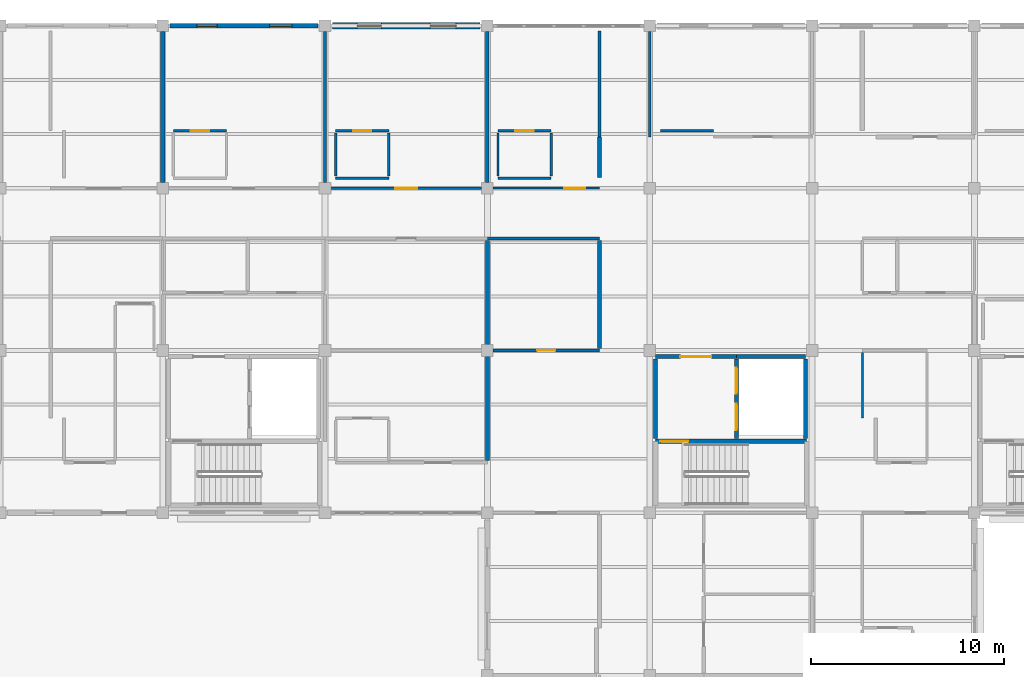
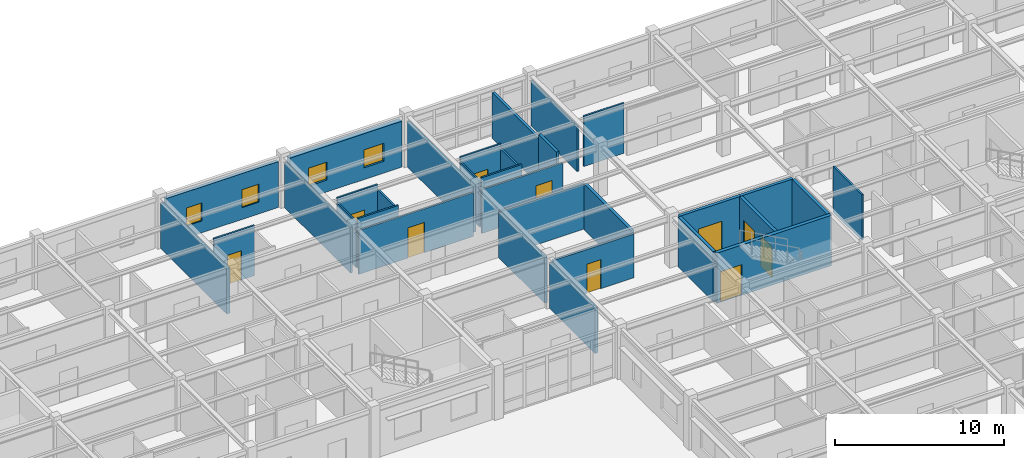
# One storey, part 62 of 86: 32 walls, 10 doors, 4 windows, 14 openings.
"""IFC4 building model written with IfcOpenShell, lengths in metres."""

from ifc_helpers import new_model, si_unit, direction, frame, frame_2d, origin, place, context, subcontext, project, spatial, rectangle, extrude, material, layer, layer_set, type_object, element, fill, save


model = new_model("IFC4")

# Units and contexts
model_context = context("Model", 3, precision=1e-05, world=origin(), true_north=direction((0.0, 1.0)))
body_context = subcontext(model_context, "Body", "Model", "MODEL_VIEW")
ifc_project = project(units=[si_unit("LENGTHUNIT", "METRE"), si_unit("AREAUNIT", "SQUARE_METRE"), si_unit("VOLUMEUNIT", "CUBIC_METRE"), si_unit("PLANEANGLEUNIT", "RADIAN"), si_unit("MASSUNIT", "GRAM", prefix="KILO")], contexts=[model_context])

# Site, building, storey
site_placement = place(None, origin())
site = spatial("IfcSite", under=ifc_project, at=site_placement, CompositionType="ELEMENT")
building_placement = place(site_placement, origin())
building = spatial("IfcBuilding", under=site, at=building_placement, Name="Bramfleet General Hospital", CompositionType="ELEMENT")
storey_placement = place(building_placement, frame((0.0, 0.0, 18.60009765625)))
storey = spatial("IfcBuildingStorey", under=building, at=storey_placement, Name="L04", CompositionType="ELEMENT", Elevation=18.60009765625)

# Wall, openings, windows
ifc_material_1 = material(Name="Precast concrete C40/50", Category="concrete")
ifc_layer_1 = layer(ifc_material_1, 0.3349609375, Name="WT-EW-03")
ifc_layer_set_1 = layer_set([ifc_layer_1], Name="Precast concrete C40/50")
wall_type_1 = type_object("IfcWallType", Name="WT-EW-03", PredefinedType="SOLIDWALL", material=ifc_layer_set_1)
wall_1_placement = place(storey_placement, frame((84.375, 117.60009765625, 0.0), z_axis=(0.0, 0.0, 1.0), x_axis=(1.0, 0.0, 0.0)))
wall_1 = element("IfcWall", 1, at=wall_1_placement, inside=storey, type_object=wall_type_1, Name="L04 Exterior Wall 288", PredefinedType="SOLIDWALL", context=body_context, shape_type="SweptSolid", body=[
    extrude(rectangle(XDim=7.64990234375, YDim=0.3349609375, at=frame_2d((3.824951171875, 0.0))), origin(), (0.0, 0.0, 1.0), 3.309814453125),
])
opening_1_placement = place(wall_1_placement, frame((1.28759765625, 0.0, 0.85009765625)))
opening_1 = element("IfcOpeningElement", 2, at=opening_1_placement, cuts=wall_1, Name="Opening W-04", PredefinedType="OPENING", context=body_context, shape_type="SweptSolid", body=[
    extrude(rectangle(XDim=1.25, YDim=1.300048828125, at=frame_2d((0.625, 0.64990234375))), frame((0.0, 0.177490234375, 0.0), z_axis=(0.0, -1.0, 0.0), x_axis=(1.0, 0.0, 0.0)), (0.0, 0.0, 1.0), 0.35498046875),
])
opening_2_placement = place(wall_1_placement, frame((5.0625, 0.0, 0.85009765625)))
opening_2 = element("IfcOpeningElement", 3, at=opening_2_placement, cuts=wall_1, Name="Opening W-05", PredefinedType="OPENING", context=body_context, shape_type="SweptSolid", body=[
    extrude(rectangle(XDim=1.35009765625, YDim=1.300048828125, at=frame_2d((0.675048828125, 0.64990234375))), frame((0.0, 0.177490234375, 0.0), z_axis=(0.0, -1.0, 0.0), x_axis=(1.0, 0.0, 0.0)), (0.0, 0.0, 1.0), 0.35498046875),
])
ifc_material_2 = material(Name="Anodised aluminium and low-E triple glazing", Category="aluminium")
window_type_1 = type_object("IfcWindowType", Name="WIN-W-04", PartitioningType="SINGLE_PANEL", PredefinedType="WINDOW", material=ifc_material_2)
window_1_placement = place(opening_1_placement, origin())
window_1 = element("IfcWindow", 4, at=window_1_placement, inside=storey, type_object=window_type_1, Name="L04 Facade Window WIN-L04-288-1", OverallHeight=1.300048828125, OverallWidth=1.25, PartitioningType="SINGLE_PANEL", PredefinedType="WINDOW", context=body_context, shape_type="SweptSolid", body=[
    extrude(rectangle(XDim=1.25, YDim=1.300048828125, at=frame_2d((0.625, 0.64990234375))), frame((0.0, 0.030029296875, 0.0), z_axis=(0.0, -1.0, 0.0), x_axis=(1.0, 0.0, 0.0)), (0.0, 0.0, 1.0), 0.06005859375),
])
fill(opening_1, window_1)
window_type_2 = type_object("IfcWindowType", Name="WIN-W-05", PartitioningType="SINGLE_PANEL", PredefinedType="WINDOW", material=ifc_material_2)
window_2_placement = place(opening_2_placement, origin())
window_2 = element("IfcWindow", 5, at=window_2_placement, inside=storey, type_object=window_type_2, Name="L04 Facade Window WIN-L04-288-2", OverallHeight=1.300048828125, OverallWidth=1.35009765625, PartitioningType="SINGLE_PANEL", PredefinedType="WINDOW", context=body_context, shape_type="SweptSolid", body=[
    extrude(rectangle(XDim=1.35009765625, YDim=1.300048828125, at=frame_2d((0.675048828125, 0.64990234375))), frame((0.0, 0.030029296875, 0.0), z_axis=(0.0, -1.0, 0.0), x_axis=(1.0, 0.0, 0.0)), (0.0, 0.0, 1.0), 0.06005859375),
])
fill(opening_2, window_2)

ifc_layer_2 = layer(ifc_material_1, 0.235107421875, Name="WT-EW-09")
ifc_layer_set_2 = layer_set([ifc_layer_2], Name="Precast concrete C40/50")
wall_type_2 = type_object("IfcWallType", Name="WT-EW-09", PredefinedType="SOLIDWALL", material=ifc_layer_set_2)
wall_2_placement = place(storey_placement, frame((75.97509765625, 117.60009765625, 0.0), z_axis=(0.0, 0.0, 1.0), x_axis=(1.0, 0.0, 0.0)))
wall_2 = element("IfcWall", 6, at=wall_2_placement, inside=storey, type_object=wall_type_2, Name="L04 Exterior Wall 287", PredefinedType="SOLIDWALL", context=body_context, shape_type="SweptSolid", body=[
    extrude(rectangle(XDim=7.64990234375, YDim=0.235107421875, at=frame_2d((3.824951171875, 0.0))), origin(), (0.0, 0.0, 1.0), 3.309814453125),
])
opening_3_placement = place(wall_2_placement, frame((1.387451171875, 0.0, 0.85009765625)))
opening_3 = element("IfcOpeningElement", 7, at=opening_3_placement, cuts=wall_2, Name="Opening W-02", PredefinedType="OPENING", context=body_context, shape_type="SweptSolid", body=[
    extrude(rectangle(XDim=1.050048828125, YDim=1.300048828125, at=frame_2d((0.52490234375, 0.64990234375))), frame((0.0, 0.12744140625, 0.0), z_axis=(0.0, -1.0, 0.0), x_axis=(1.0, 0.0, 0.0)), (0.0, 0.0, 1.0), 0.255126953125),
])
opening_4_placement = place(wall_2_placement, frame((5.16259765625, 0.0, 0.85009765625)))
opening_4 = element("IfcOpeningElement", 8, at=opening_4_placement, cuts=wall_2, Name="Opening W-03", PredefinedType="OPENING", context=body_context, shape_type="SweptSolid", body=[
    extrude(rectangle(XDim=1.14990234375, YDim=1.300048828125, at=frame_2d((0.574951171875, 0.64990234375))), frame((0.0, 0.12744140625, 0.0), z_axis=(0.0, -1.0, 0.0), x_axis=(1.0, 0.0, 0.0)), (0.0, 0.0, 1.0), 0.255126953125),
])
window_type_3 = type_object("IfcWindowType", Name="WIN-W-02", PartitioningType="SINGLE_PANEL", PredefinedType="WINDOW", material=ifc_material_2)
window_3_placement = place(opening_3_placement, origin())
window_3 = element("IfcWindow", 9, at=window_3_placement, inside=storey, type_object=window_type_3, Name="L04 Facade Window WIN-L04-287-1", OverallHeight=1.300048828125, OverallWidth=1.050048828125, PartitioningType="SINGLE_PANEL", PredefinedType="WINDOW", context=body_context, shape_type="SweptSolid", body=[
    extrude(rectangle(XDim=1.050048828125, YDim=1.300048828125, at=frame_2d((0.52490234375, 0.64990234375))), frame((0.0, 0.030029296875, 0.0), z_axis=(0.0, -1.0, 0.0), x_axis=(1.0, 0.0, 0.0)), (0.0, 0.0, 1.0), 0.06005859375),
])
fill(opening_3, window_3)
window_type_4 = type_object("IfcWindowType", Name="WIN-W-03", PartitioningType="SINGLE_PANEL", PredefinedType="WINDOW", material=ifc_material_2)
window_4_placement = place(opening_4_placement, origin())
window_4 = element("IfcWindow", 10, at=window_4_placement, inside=storey, type_object=window_type_4, Name="L04 Facade Window WIN-L04-287-2", OverallHeight=1.300048828125, OverallWidth=1.14990234375, PartitioningType="SINGLE_PANEL", PredefinedType="WINDOW", context=body_context, shape_type="SweptSolid", body=[
    extrude(rectangle(XDim=1.14990234375, YDim=1.300048828125, at=frame_2d((0.574951171875, 0.64990234375))), frame((0.0, 0.030029296875, 0.0), z_axis=(0.0, -1.0, 0.0), x_axis=(1.0, 0.0, 0.0)), (0.0, 0.0, 1.0), 0.06005859375),
])
fill(opening_4, window_4)

# Walls
ifc_material_3 = material(Name="Concrete C35/45", Category="concrete")
ifc_layer_3 = layer(ifc_material_3, 0.219970703125, Name="WT-IW-01")
ifc_layer_set_3 = layer_set([ifc_layer_3], Name="Concrete C35/45")
wall_type_3 = type_object("IfcWallType", Name="WT-IW-01", PredefinedType="PARTITIONING", material=ifc_layer_set_3)
wall_3_placement = place(storey_placement, frame((75.60009765625, 109.4951171875, 0.0), z_axis=(0.0, 0.0, 1.0), x_axis=(0.0, 1.0, 0.0)))
element("IfcWall", 11, at=wall_3_placement, inside=storey, type_object=wall_type_3, Name="L04 Interior Partition IW-L04-3313", PredefinedType="PARTITIONING", context=body_context, shape_type="SweptSolid", body=[
    extrude(rectangle(XDim=7.809814453125, YDim=0.219970703125, at=frame_2d((3.90478515625, 0.0))), origin(), (0.0, 0.0, 1.0), 3.260009765625),
])
wall_4_placement = place(storey_placement, frame((92.39990234375, 95.114990234375, 0.0), z_axis=(0.0, 0.0, 1.0), x_axis=(0.0, 1.0, 0.0)))
element("IfcWall", 12, at=wall_4_placement, inside=storey, type_object=wall_type_3, Name="L04 Interior Partition IW-L04-3325", PredefinedType="PARTITIONING", context=body_context, shape_type="SweptSolid", body=[
    extrude(rectangle(XDim=5.389892578125, YDim=0.219970703125, at=frame_2d((2.69482421875, 0.0))), origin(), (0.0, 0.0, 1.0), 3.260009765625),
])

# Wall, openings, doors
ifc_layer_4 = layer(ifc_material_3, 0.205078125, Name="WT-IW-02")
ifc_layer_set_4 = layer_set([ifc_layer_4], Name="Concrete C35/45")
wall_type_4 = type_object("IfcWallType", Name="WT-IW-02", PredefinedType="PARTITIONING", material=ifc_layer_set_4)
wall_5_placement = place(storey_placement, frame((105.280029296875, 96.239990234375, 0.0), z_axis=(0.0, 0.0, 1.0), x_axis=(0.0, 1.0, 0.0)))
wall_5 = element("IfcWall", 13, at=wall_5_placement, inside=storey, type_object=wall_type_4, Name="L04 C4 Lobby East Shaft Wall", PredefinedType="PARTITIONING", context=body_context, shape_type="SweptSolid", body=[
    extrude(rectangle(XDim=4.1201171875, YDim=0.205078125, at=frame_2d((2.06005859375, 0.0))), origin(), (0.0, 0.0, 1.0), 3.60986328125),
])
opening_5_placement = place(wall_5_placement, frame((0.445068359375, 0.0, 0.0)))
opening_5 = element("IfcOpeningElement", 14, at=opening_5_placement, cuts=wall_5, Name="Opening LD-FL-02-L04", PredefinedType="OPENING", context=body_context, shape_type="SweptSolid", body=[
    extrude(rectangle(XDim=1.35009765625, YDim=2.199951171875, at=frame_2d((0.675048828125, 1.10009765625))), frame((0.0, 0.112548828125, 0.0), z_axis=(0.0, -1.0, 0.0), x_axis=(1.0, 0.0, 0.0)), (0.0, 0.0, 1.0), 0.22509765625),
])
opening_6_placement = place(wall_5_placement, frame((2.324951171875, 0.0, 0.0)))
opening_6 = element("IfcOpeningElement", 15, at=opening_6_placement, cuts=wall_5, Name="Opening LD-BL-04-L04", PredefinedType="OPENING", context=body_context, shape_type="SweptSolid", body=[
    extrude(rectangle(XDim=1.35009765625, YDim=2.199951171875, at=frame_2d((0.675048828125, 1.10009765625))), frame((0.0, 0.112548828125, 0.0), z_axis=(0.0, -1.0, 0.0), x_axis=(1.0, 0.0, 0.0)), (0.0, 0.0, 1.0), 0.22509765625),
])
ifc_material_4 = material(Name="Brushed stainless steel 1.4301", Category="steel")
door_type_1 = type_object("IfcDoorType", Name="DR-LD-01", OperationType="NOTDEFINED", PredefinedType="DOOR", material=ifc_material_4)
door_1_placement = place(opening_5_placement, origin())
door_1 = element("IfcDoor", 16, at=door_1_placement, inside=storey, type_object=door_type_1, Name="L04 Lift FL-02 Sliding Landing Door", OperationType="SLIDING_TO_LEFT", OverallHeight=2.199951171875, OverallWidth=1.35009765625, PredefinedType="DOOR", context=body_context, shape_type="SweptSolid", body=[
    extrude(rectangle(XDim=1.35009765625, YDim=2.199951171875, at=frame_2d((0.675048828125, 1.10009765625))), frame((0.0, 0.02490234375, 0.0), z_axis=(0.0, -1.0, 0.0), x_axis=(1.0, 0.0, 0.0)), (0.0, 0.0, 1.0), 0.050048828125),
])
fill(opening_5, door_1)
door_2_placement = place(opening_6_placement, origin())
door_2 = element("IfcDoor", 17, at=door_2_placement, inside=storey, type_object=door_type_1, Name="L04 Lift BL-04 Sliding Landing Door", OperationType="SLIDING_TO_LEFT", OverallHeight=2.199951171875, OverallWidth=1.35009765625, PredefinedType="DOOR", context=body_context, shape_type="SweptSolid", body=[
    extrude(rectangle(XDim=1.35009765625, YDim=2.199951171875, at=frame_2d((0.675048828125, 1.10009765625))), frame((0.0, 0.02490234375, 0.0), z_axis=(0.0, -1.0, 0.0), x_axis=(1.0, 0.0, 0.0)), (0.0, 0.0, 1.0), 0.050048828125),
])
fill(opening_6, door_2)

# Walls
wall_6_placement = place(storey_placement, frame((108.85009765625, 96.239990234375, 0.0), z_axis=(0.0, 0.0, 1.0), x_axis=(0.0, 1.0, 0.0)))
element("IfcWall", 18, at=wall_6_placement, inside=storey, type_object=wall_type_4, Name="L04 C4 Lift Shaft East Wall", PredefinedType="PARTITIONING", context=body_context, shape_type="SweptSolid", body=[
    extrude(rectangle(XDim=4.1201171875, YDim=0.205078125, at=frame_2d((2.06005859375, 0.0))), origin(), (0.0, 0.0, 1.0), 3.60986328125),
])
wall_7_placement = place(storey_placement, frame((105.280029296875, 100.47998046875, 0.0), z_axis=(0.0, 0.0, 1.0), x_axis=(1.0, 0.0, 0.0)))
element("IfcWall", 19, at=wall_7_placement, inside=storey, type_object=wall_type_4, Name="L04 C4 Lift Shaft North Wall", PredefinedType="PARTITIONING", context=body_context, shape_type="SweptSolid", body=[
    extrude(rectangle(XDim=3.570068359375, YDim=0.205078125, at=frame_2d((1.78515625, 0.0))), origin(), (0.0, 0.0, 1.0), 3.60986328125),
])
wall_8_placement = place(storey_placement, frame((101.10009765625, 96.239990234375, 0.0), z_axis=(0.0, 0.0, 1.0), x_axis=(0.0, 1.0, 0.0)))
element("IfcWall", 20, at=wall_8_placement, inside=storey, type_object=wall_type_4, Name="L04 C4 Lobby West Compartment Wall", PredefinedType="PARTITIONING", context=body_context, shape_type="SweptSolid", body=[
    extrude(rectangle(XDim=4.1201171875, YDim=0.205078125, at=frame_2d((2.06005859375, 0.0))), origin(), (0.0, 0.0, 1.0), 3.60986328125),
])

# Wall, opening, door
wall_9_placement = place(storey_placement, frame((101.10009765625, 100.47998046875, 0.0), z_axis=(0.0, 0.0, 1.0), x_axis=(1.0, 0.0, 0.0)))
wall_9 = element("IfcWall", 21, at=wall_9_placement, inside=storey, type_object=wall_type_4, Name="L04 C4 Lobby North Compartment Wall", PredefinedType="PARTITIONING", context=body_context, shape_type="SweptSolid", body=[
    extrude(rectangle(XDim=4.179931640625, YDim=0.205078125, at=frame_2d((2.08984375, 0.0))), origin(), (0.0, 0.0, 1.0), 3.60986328125),
])
opening_7_placement = place(wall_9_placement, frame((1.2900390625, 0.0, 0.0)))
opening_7 = element("IfcOpeningElement", 22, at=opening_7_placement, cuts=wall_9, Name="Opening D0048", PredefinedType="OPENING", context=body_context, shape_type="SweptSolid", body=[
    extrude(rectangle(XDim=1.60009765625, YDim=2.25, at=frame_2d((0.800048828125, 1.125))), frame((0.0, 0.112548828125, 0.0), z_axis=(0.0, -1.0, 0.0), x_axis=(1.0, 0.0, 0.0)), (0.0, 0.0, 1.0), 0.22509765625),
])
ifc_material_5 = material(Name="Stainless steel and acoustic timber leaf", Category="steel")
door_type_2 = type_object("IfcDoorType", Name="DR-D-04", OperationType="NOTDEFINED", PredefinedType="DOOR", material=ifc_material_5)
door_3_placement = place(opening_7_placement, origin())
door_3 = element("IfcDoor", 23, at=door_3_placement, inside=storey, type_object=door_type_2, Name="L04 C4 Lobby Fire Door D0048", OperationType="DOUBLE_SWING_LEFT", OverallHeight=2.25, OverallWidth=1.60009765625, PredefinedType="DOOR", context=body_context, shape_type="SweptSolid", body=[
    extrude(rectangle(XDim=1.60009765625, YDim=2.25, at=frame_2d((0.800048828125, 1.125))), frame((0.0, 0.02490234375, 0.0), z_axis=(0.0, -1.0, 0.0), x_axis=(1.0, 0.0, 0.0)), (0.0, 0.0, 1.0), 0.050048828125),
])
fill(opening_7, door_3)

# Walls
wall_10_placement = place(storey_placement, frame((92.39990234375, 101.094970703125, 0.0), z_axis=(0.0, 0.0, 1.0), x_axis=(0.0, 1.0, 0.0)))
element("IfcWall", 24, at=wall_10_placement, inside=storey, type_object=wall_type_4, Name="L04 Interior Partition IW-L04-3326", PredefinedType="PARTITIONING", context=body_context, shape_type="SweptSolid", body=[
    extrude(rectangle(XDim=5.39013671875, YDim=0.205078125, at=frame_2d((2.695068359375, 0.0))), origin(), (0.0, 0.0, 1.0), 3.260009765625),
])
wall_11_placement = place(storey_placement, frame((98.199951171875, 100.9150390625, 0.0), z_axis=(0.0, 0.0, 1.0), x_axis=(0.0, 1.0, 0.0)))
element("IfcWall", 25, at=wall_11_placement, inside=storey, type_object=wall_type_4, Name="L04 Interior Partition IW-L04-3350", PredefinedType="PARTITIONING", context=body_context, shape_type="SweptSolid", body=[
    extrude(rectangle(XDim=5.570068359375, YDim=0.205078125, at=frame_2d((2.78515625, 0.0))), origin(), (0.0, 0.0, 1.0), 3.309814453125),
])
ifc_layer_5 = layer(ifc_material_3, 0.18994140625, Name="WT-IW-03")
ifc_layer_set_5 = layer_set([ifc_layer_5], Name="Concrete C35/45")
wall_type_5 = type_object("IfcWallType", Name="WT-IW-03", PredefinedType="PARTITIONING", material=ifc_layer_set_5)
wall_12_placement = place(storey_placement, frame((92.39990234375, 109.4951171875, 0.0), z_axis=(0.0, 0.0, 1.0), x_axis=(0.0, 1.0, 0.0)))
element("IfcWall", 26, at=wall_12_placement, inside=storey, type_object=wall_type_5, Name="L04 Interior Partition IW-L04-3327", PredefinedType="PARTITIONING", context=body_context, shape_type="SweptSolid", body=[
    extrude(rectangle(XDim=7.809814453125, YDim=0.18994140625, at=frame_2d((3.90478515625, 0.0))), origin(), (0.0, 0.0, 1.0), 3.260009765625),
])
wall_13_placement = place(storey_placement, frame((98.199951171875, 109.75, 0.0), z_axis=(0.0, 0.0, 1.0), x_axis=(0.0, 1.0, 0.0)))
element("IfcWall", 27, at=wall_13_placement, inside=storey, type_object=wall_type_5, Name="L04 Interior Partition IW-L04-3351", PredefinedType="PARTITIONING", context=body_context, shape_type="SweptSolid", body=[
    extrude(rectangle(XDim=2.10009765625, YDim=0.18994140625, at=frame_2d((1.050048828125, 0.0))), origin(), (0.0, 0.0, 1.0), 3.60986328125),
])
ifc_layer_6 = layer(ifc_material_3, 0.179931640625, Name="WT-IW-04")
ifc_layer_set_6 = layer_set([ifc_layer_6], Name="Concrete C35/45")
wall_type_6 = type_object("IfcWallType", Name="WT-IW-04", PredefinedType="PARTITIONING", material=ifc_layer_set_6)
wall_14_placement = place(storey_placement, frame((98.199951171875, 111.85009765625, 0.0), z_axis=(0.0, 0.0, 1.0), x_axis=(0.0, 1.0, 0.0)))
element("IfcWall", 28, at=wall_14_placement, inside=storey, type_object=wall_type_6, Name="L04 Interior Partition IW-L04-3352", PredefinedType="PARTITIONING", context=body_context, shape_type="SweptSolid", body=[
    extrude(rectangle(XDim=5.469970703125, YDim=0.179931640625, at=frame_2d((2.73486328125, 0.0))), origin(), (0.0, 0.0, 1.0), 3.309814453125),
])

# Wall, opening, door
ifc_material_6 = material(Name="Gypsum plasterboard on acoustic steel studs", Category="steel")
ifc_layer_7 = layer(ifc_material_6, 0.169921875, Name="WT-IW-05")
ifc_layer_set_7 = layer_set([ifc_layer_7], Name="Gypsum plasterboard on acoustic steel studs")
wall_type_7 = type_object("IfcWallType", Name="WT-IW-05", PredefinedType="PARTITIONING", material=ifc_layer_set_7)
wall_15_placement = place(storey_placement, frame((92.695068359375, 100.800048828125, 0.0), z_axis=(0.0, 0.0, 1.0), x_axis=(1.0, 0.0, 0.0)))
wall_15 = element("IfcWall", 29, at=wall_15_placement, inside=storey, type_object=wall_type_7, Name="L04 Interior Partition IW-L04-3209", PredefinedType="PARTITIONING", context=body_context, shape_type="SweptSolid", body=[
    extrude(rectangle(XDim=5.5048828125, YDim=0.169921875, at=frame_2d((2.75244140625, 0.0))), origin(), (0.0, 0.0, 1.0), 3.159912109375),
])
opening_8_placement = place(wall_15_placement, frame((2.277587890625, 0.0, 0.0)))
opening_8 = element("IfcOpeningElement", 30, at=opening_8_placement, cuts=wall_15, Name="Opening D1258", PredefinedType="OPENING", context=body_context, shape_type="SweptSolid", body=[
    extrude(rectangle(XDim=0.949951171875, YDim=2.10009765625, at=frame_2d((0.47509765625, 1.050048828125))), frame((0.0, 0.094970703125, 0.0), z_axis=(0.0, -1.0, 0.0), x_axis=(1.0, 0.0, 0.0)), (0.0, 0.0, 1.0), 0.18994140625),
])
door_type_3 = type_object("IfcDoorType", Name="DR-D-10", OperationType="NOTDEFINED", PredefinedType="DOOR", material=ifc_material_5)
door_4_placement = place(opening_8_placement, origin())
door_4 = element("IfcDoor", 31, at=door_4_placement, inside=storey, type_object=door_type_3, Name="Ward Linen and Clean Utility L04-1112 Door D1258", OperationType="SINGLE_SWING_LEFT", OverallHeight=2.10009765625, OverallWidth=0.949951171875, PredefinedType="DOOR", context=body_context, shape_type="SweptSolid", body=[
    extrude(rectangle(XDim=0.949951171875, YDim=2.10009765625, at=frame_2d((0.47509765625, 1.050048828125))), frame((0.0, 0.02490234375, 0.0), z_axis=(0.0, -1.0, 0.0), x_axis=(1.0, 0.0, 0.0)), (0.0, 0.0, 1.0), 0.050048828125),
])
fill(opening_8, door_4)

# Walls
ifc_layer_8 = layer(ifc_material_6, 0.139892578125, Name="WT-IW-08")
ifc_layer_set_8 = layer_set([ifc_layer_8], Name="Gypsum plasterboard on acoustic steel studs")
wall_type_8 = type_object("IfcWallType", Name="WT-IW-08", PredefinedType="PARTITIONING", material=ifc_layer_set_8)
wall_16_placement = place(storey_placement, frame((92.39990234375, 106.60009765625, 0.0), z_axis=(0.0, 0.0, 1.0), x_axis=(1.0, 0.0, 0.0)))
element("IfcWall", 32, at=wall_16_placement, inside=storey, type_object=wall_type_8, Name="L04 Interior Partition IW-L04-3236", PredefinedType="PARTITIONING", context=body_context, shape_type="SweptSolid", body=[
    extrude(rectangle(XDim=5.800048828125, YDim=0.139892578125, at=frame_2d((2.89990234375, 0.0))), origin(), (0.0, 0.0, 1.0), 3.260009765625),
])
wall_17_placement = place(storey_placement, frame((84.0, 109.4951171875, 0.0), z_axis=(0.0, 0.0, 1.0), x_axis=(0.0, 1.0, 0.0)))
element("IfcWall", 33, at=wall_17_placement, inside=storey, type_object=wall_type_8, Name="L04 Interior Partition IW-L04-3320", PredefinedType="PARTITIONING", context=body_context, shape_type="SweptSolid", body=[
    extrude(rectangle(XDim=7.809814453125, YDim=0.139892578125, at=frame_2d((3.90478515625, 0.0))), origin(), (0.0, 0.0, 1.0), 3.260009765625),
])

# Wall, opening, door
ifc_layer_9 = layer(ifc_material_6, 0.1201171875, Name="WT-IW-10")
ifc_layer_set_9 = layer_set([ifc_layer_9], Name="Gypsum plasterboard on acoustic steel studs")
wall_type_9 = type_object("IfcWallType", Name="WT-IW-10", PredefinedType="PARTITIONING", material=ifc_layer_set_9)
wall_18_placement = place(storey_placement, frame((84.294921875, 109.199951171875, 0.0), z_axis=(0.0, 0.0, 1.0), x_axis=(1.0, 0.0, 0.0)))
wall_18 = element("IfcWall", 34, at=wall_18_placement, inside=storey, type_object=wall_type_9, Name="L04 Interior Partition IW-L04-3250", PredefinedType="PARTITIONING", context=body_context, shape_type="SweptSolid", body=[
    extrude(rectangle(XDim=7.81005859375, YDim=0.1201171875, at=frame_2d((3.905029296875, 0.0))), origin(), (0.0, 0.0, 1.0), 3.159912109375),
])
opening_9_placement = place(wall_18_placement, frame((3.344970703125, 0.0, 0.0)))
opening_9 = element("IfcOpeningElement", 35, at=opening_9_placement, cuts=wall_18, Name="Opening D1243", PredefinedType="OPENING", context=body_context, shape_type="SweptSolid", body=[
    extrude(rectangle(XDim=1.1201171875, YDim=2.179931640625, at=frame_2d((0.56005859375, 1.08984375))), frame((0.0, 0.070068359375, 0.0), z_axis=(0.0, -1.0, 0.0), x_axis=(1.0, 0.0, 0.0)), (0.0, 0.0, 1.0), 0.14013671875),
])
door_type_4 = type_object("IfcDoorType", Name="DR-D-27", OperationType="NOTDEFINED", PredefinedType="DOOR", material=ifc_material_5)
door_5_placement = place(opening_9_placement, origin())
door_5 = element("IfcDoor", 36, at=door_5_placement, inside=storey, type_object=door_type_4, Name="Surgical Inpatient Ward Bedroom L04-1013 Door D1243", OperationType="SINGLE_SWING_RIGHT", OverallHeight=2.179931640625, OverallWidth=1.1201171875, PredefinedType="DOOR", context=body_context, shape_type="SweptSolid", body=[
    extrude(rectangle(XDim=1.1201171875, YDim=2.179931640625, at=frame_2d((0.56005859375, 1.08984375))), frame((0.0, 0.02490234375, 0.0), z_axis=(0.0, -1.0, 0.0), x_axis=(1.0, 0.0, 0.0)), (0.0, 0.0, 1.0), 0.050048828125),
])
fill(opening_9, door_5)

# Walls
for number, where, z_axis, x_axis, name in (
    (37, (84.550048828125, 109.719970703125, 0.0), (0.0, 0.0, 1.0), (1.0, 0.0, 0.0), "L04 Interior Partition IW-L04-3257"),
    (38, (92.949951171875, 109.719970703125, 0.0), (0.0, 0.0, 1.0), (1.0, 0.0, 0.0), "L04 Interior Partition IW-L04-3258"),
):
    element("IfcWall", number, at=place(storey_placement, frame(where, z_axis=z_axis, x_axis=x_axis)), inside=storey, type_object=wall_type_9, Name=name, PredefinedType="PARTITIONING", context=body_context, shape_type="SweptSolid", body=[
        extrude(rectangle(XDim=2.75, YDim=0.1201171875, at=frame_2d((1.375, 0.0))), origin(), (0.0, 0.0, 1.0), 3.60986328125),
    ])

# Wall, opening, door
wall_19_placement = place(storey_placement, frame((76.14990234375, 112.169921875, 0.0), z_axis=(0.0, 0.0, 1.0), x_axis=(1.0, 0.0, 0.0)))
wall_19 = element("IfcWall", 39, at=wall_19_placement, inside=storey, type_object=wall_type_9, Name="L04 Interior Partition IW-L04-3271", PredefinedType="PARTITIONING", context=body_context, shape_type="SweptSolid", body=[
    extrude(rectangle(XDim=2.75, YDim=0.1201171875, at=frame_2d((1.375, 0.0))), origin(), (0.0, 0.0, 1.0), 3.60986328125),
])
opening_10_placement = place(wall_19_placement, frame((0.89990234375, 0.0, 0.0)))
opening_10 = element("IfcOpeningElement", 40, at=opening_10_placement, cuts=wall_19, Name="Opening D1239", PredefinedType="OPENING", context=body_context, shape_type="SweptSolid", body=[
    extrude(rectangle(XDim=0.949951171875, YDim=2.10009765625, at=frame_2d((0.47509765625, 1.050048828125))), frame((0.0, 0.070068359375, 0.0), z_axis=(0.0, -1.0, 0.0), x_axis=(1.0, 0.0, 0.0)), (0.0, 0.0, 1.0), 0.14013671875),
])
door_6_placement = place(opening_10_placement, origin())
door_6 = element("IfcDoor", 41, at=door_6_placement, inside=storey, type_object=door_type_3, Name="En-Suite Bathroom L04-0913 Door D1239", OperationType="SINGLE_SWING_LEFT", OverallHeight=2.10009765625, OverallWidth=0.949951171875, PredefinedType="DOOR", context=body_context, shape_type="SweptSolid", body=[
    extrude(rectangle(XDim=0.949951171875, YDim=2.10009765625, at=frame_2d((0.47509765625, 1.050048828125))), frame((0.0, 0.02490234375, 0.0), z_axis=(0.0, -1.0, 0.0), x_axis=(1.0, 0.0, 0.0)), (0.0, 0.0, 1.0), 0.050048828125),
])
fill(opening_10, door_6)

wall_20_placement = place(storey_placement, frame((84.550048828125, 112.169921875, 0.0), z_axis=(0.0, 0.0, 1.0), x_axis=(1.0, 0.0, 0.0)))
wall_20 = element("IfcWall", 42, at=wall_20_placement, inside=storey, type_object=wall_type_9, Name="L04 Interior Partition IW-L04-3272", PredefinedType="PARTITIONING", context=body_context, shape_type="SweptSolid", body=[
    extrude(rectangle(XDim=2.75, YDim=0.1201171875, at=frame_2d((1.375, 0.0))), origin(), (0.0, 0.0, 1.0), 3.60986328125),
])
opening_11_placement = place(wall_20_placement, frame((0.89990234375, 0.0, 0.0)))
opening_11 = element("IfcOpeningElement", 43, at=opening_11_placement, cuts=wall_20, Name="Opening D1244", PredefinedType="OPENING", context=body_context, shape_type="SweptSolid", body=[
    extrude(rectangle(XDim=0.949951171875, YDim=2.10009765625, at=frame_2d((0.47509765625, 1.050048828125))), frame((0.0, 0.070068359375, 0.0), z_axis=(0.0, -1.0, 0.0), x_axis=(1.0, 0.0, 0.0)), (0.0, 0.0, 1.0), 0.14013671875),
])
door_7_placement = place(opening_11_placement, origin())
door_7 = element("IfcDoor", 44, at=door_7_placement, inside=storey, type_object=door_type_3, Name="En-Suite Bathroom L04-1013 Door D1244", OperationType="SINGLE_SWING_LEFT", OverallHeight=2.10009765625, OverallWidth=0.949951171875, PredefinedType="DOOR", context=body_context, shape_type="SweptSolid", body=[
    extrude(rectangle(XDim=0.949951171875, YDim=2.10009765625, at=frame_2d((0.47509765625, 1.050048828125))), frame((0.0, 0.02490234375, 0.0), z_axis=(0.0, -1.0, 0.0), x_axis=(1.0, 0.0, 0.0)), (0.0, 0.0, 1.0), 0.050048828125),
])
fill(opening_11, door_7)

wall_21_placement = place(storey_placement, frame((92.949951171875, 112.169921875, 0.0), z_axis=(0.0, 0.0, 1.0), x_axis=(1.0, 0.0, 0.0)))
wall_21 = element("IfcWall", 45, at=wall_21_placement, inside=storey, type_object=wall_type_9, Name="L04 Interior Partition IW-L04-3273", PredefinedType="PARTITIONING", context=body_context, shape_type="SweptSolid", body=[
    extrude(rectangle(XDim=2.75, YDim=0.1201171875, at=frame_2d((1.375, 0.0))), origin(), (0.0, 0.0, 1.0), 3.60986328125),
])
opening_12_placement = place(wall_21_placement, frame((0.89990234375, 0.0, 0.0)))
opening_12 = element("IfcOpeningElement", 46, at=opening_12_placement, cuts=wall_21, Name="Opening D1260", PredefinedType="OPENING", context=body_context, shape_type="SweptSolid", body=[
    extrude(rectangle(XDim=0.949951171875, YDim=2.10009765625, at=frame_2d((0.47509765625, 1.050048828125))), frame((0.0, 0.070068359375, 0.0), z_axis=(0.0, -1.0, 0.0), x_axis=(1.0, 0.0, 0.0)), (0.0, 0.0, 1.0), 0.14013671875),
])
door_8_placement = place(opening_12_placement, origin())
door_8 = element("IfcDoor", 47, at=door_8_placement, inside=storey, type_object=door_type_3, Name="En-Suite Bathroom L04-1113 Door D1260", OperationType="SINGLE_SWING_LEFT", OverallHeight=2.10009765625, OverallWidth=0.949951171875, PredefinedType="DOOR", context=body_context, shape_type="SweptSolid", body=[
    extrude(rectangle(XDim=0.949951171875, YDim=2.10009765625, at=frame_2d((0.47509765625, 1.050048828125))), frame((0.0, 0.02490234375, 0.0), z_axis=(0.0, -1.0, 0.0), x_axis=(1.0, 0.0, 0.0)), (0.0, 0.0, 1.0), 0.050048828125),
])
fill(opening_12, door_8)

# Walls
wall_22_placement = place(storey_placement, frame((101.35009765625, 112.169921875, 0.0), z_axis=(0.0, 0.0, 1.0), x_axis=(1.0, 0.0, 0.0)))
element("IfcWall", 48, at=wall_22_placement, inside=storey, type_object=wall_type_9, Name="L04 Interior Partition IW-L04-3274", PredefinedType="PARTITIONING", context=body_context, shape_type="SweptSolid", body=[
    extrude(rectangle(XDim=2.75, YDim=0.1201171875, at=frame_2d((1.375, 0.0))), origin(), (0.0, 0.0, 1.0), 3.60986328125),
])
for number, where, z_axis, x_axis, name in (
    (49, (84.550048828125, 109.8349609375, 0.0), (0.0, 0.0, 1.0), (0.0, 1.0, 0.0), "L04 Interior Partition IW-L04-3322"),
    (50, (87.300048828125, 109.8349609375, 0.0), (0.0, 0.0, 1.0), (0.0, 1.0, 0.0), "L04 Interior Partition IW-L04-3324"),
    (51, (92.949951171875, 109.8349609375, 0.0), (0.0, 0.0, 1.0), (0.0, 1.0, 0.0), "L04 Interior Partition IW-L04-3330"),
    (52, (95.699951171875, 109.8349609375, 0.0), (0.0, 0.0, 1.0), (0.0, 1.0, 0.0), "L04 Interior Partition IW-L04-3333"),
):
    element("IfcWall", number, at=place(storey_placement, frame(where, z_axis=z_axis, x_axis=x_axis)), inside=storey, type_object=wall_type_9, Name=name, PredefinedType="PARTITIONING", context=body_context, shape_type="SweptSolid", body=[
        extrude(rectangle(XDim=2.219970703125, YDim=0.1201171875, at=frame_2d((1.10986328125, 0.0))), origin(), (0.0, 0.0, 1.0), 3.309814453125),
    ])
wall_23_placement = place(storey_placement, frame((100.800048828125, 111.85009765625, 0.0), z_axis=(0.0, 0.0, 1.0), x_axis=(0.0, 1.0, 0.0)))
element("IfcWall", 53, at=wall_23_placement, inside=storey, type_object=wall_type_9, Name="L04 Interior Partition IW-L04-3358", PredefinedType="PARTITIONING", context=body_context, shape_type="SweptSolid", body=[
    extrude(rectangle(XDim=5.454833984375, YDim=0.1201171875, at=frame_2d((2.7275390625, 0.0))), origin(), (0.0, 0.0, 1.0), 3.260009765625),
])

# Wall, opening, door
ifc_layer_10 = layer(ifc_material_6, 0.112060546875, Name="WT-IW-11")
ifc_layer_set_10 = layer_set([ifc_layer_10], Name="Gypsum plasterboard on acoustic steel studs")
wall_type_10 = type_object("IfcWallType", Name="WT-IW-11", PredefinedType="PARTITIONING", material=ifc_layer_set_10)
wall_24_placement = place(storey_placement, frame((92.695068359375, 109.199951171875, 0.0), z_axis=(0.0, 0.0, 1.0), x_axis=(1.0, 0.0, 0.0)))
wall_24 = element("IfcWall", 54, at=wall_24_placement, inside=storey, type_object=wall_type_10, Name="L04 Interior Partition IW-L04-3251", PredefinedType="PARTITIONING", context=body_context, shape_type="SweptSolid", body=[
    extrude(rectangle(XDim=5.5048828125, YDim=0.112060546875, at=frame_2d((2.75244140625, 0.0))), origin(), (0.0, 0.0, 1.0), 3.159912109375),
])
opening_13_placement = place(wall_24_placement, frame((3.6767578125, 0.0, 0.0)))
opening_13 = element("IfcOpeningElement", 55, at=opening_13_placement, cuts=wall_24, Name="Opening D1259", PredefinedType="OPENING", context=body_context, shape_type="SweptSolid", body=[
    extrude(rectangle(XDim=1.10009765625, YDim=2.14990234375, at=frame_2d((0.550048828125, 1.074951171875))), frame((0.0, 0.06591796875, 0.0), z_axis=(0.0, -1.0, 0.0), x_axis=(1.0, 0.0, 0.0)), (0.0, 0.0, 1.0), 0.132080078125),
])
door_type_5 = type_object("IfcDoorType", Name="DR-D-11", OperationType="NOTDEFINED", PredefinedType="DOOR", material=ifc_material_5)
door_9_placement = place(opening_13_placement, origin())
door_9 = element("IfcDoor", 56, at=door_9_placement, inside=storey, type_object=door_type_5, Name="Surgical Inpatient Ward Bedroom L04-1113 Door D1259", OperationType="SINGLE_SWING_RIGHT", OverallHeight=2.14990234375, OverallWidth=1.10009765625, PredefinedType="DOOR", context=body_context, shape_type="SweptSolid", body=[
    extrude(rectangle(XDim=1.10009765625, YDim=2.14990234375, at=frame_2d((0.550048828125, 1.074951171875))), frame((0.0, 0.02490234375, 0.0), z_axis=(0.0, -1.0, 0.0), x_axis=(1.0, 0.0, 0.0)), (0.0, 0.0, 1.0), 0.050048828125),
])
fill(opening_13, door_9)

# Wall
wall_25_placement = place(storey_placement, frame((111.800048828125, 97.300048828125, 0.0), z_axis=(0.0, 0.0, 1.0), x_axis=(0.0, 1.0, 0.0)))
element("IfcWall", 57, at=wall_25_placement, inside=storey, type_object=wall_type_10, Name="L04 Interior Partition IW-L04-3395", PredefinedType="PARTITIONING", context=body_context, shape_type="SweptSolid", body=[
    extrude(rectangle(XDim=3.385009765625, YDim=0.112060546875, at=frame_2d((1.6923828125, 0.0))), origin(), (0.0, 0.0, 1.0), 3.309814453125),
])

# Wall, opening, door
ifc_material_7 = material(Name="Concrete C40/50", Category="concrete")
ifc_layer_11 = layer(ifc_material_7, 0.239990234375, Name="WT-SW-240")
ifc_layer_set_11 = layer_set([ifc_layer_11], Name="Concrete C40/50")
wall_type_11 = type_object("IfcWallType", Name="WT-SW-240", PredefinedType="SHEAR", material=ifc_layer_set_11)
wall_26_placement = place(storey_placement, frame((101.10009765625, 96.10009765625, 0.0), z_axis=(0.0, 0.0, 1.0), x_axis=(1.0, 0.0, 0.0)))
wall_26 = element("IfcWall", 58, at=wall_26_placement, inside=storey, type_object=wall_type_11, Name="L04 C4 Stair-Lobby Shear Wall", PredefinedType="SHEAR", context=body_context, shape_type="SweptSolid", body=[
    extrude(rectangle(XDim=7.81982421875, YDim=0.239990234375, at=frame_2d((3.909912109375, 0.0))), origin(), (0.0, 0.0, 1.0), 3.619873046875),
])
opening_14_placement = place(wall_26_placement, frame((0.25, 0.0, 0.0)))
opening_14 = element("IfcOpeningElement", 59, at=opening_14_placement, cuts=wall_26, Name="Opening D0047", PredefinedType="OPENING", context=body_context, shape_type="SweptSolid", body=[
    extrude(rectangle(XDim=1.449951171875, YDim=2.199951171875, at=frame_2d((0.72509765625, 1.10009765625))), frame((0.0, 0.1298828125, 0.0), z_axis=(0.0, -1.0, 0.0), x_axis=(1.0, 0.0, 0.0)), (0.0, 0.0, 1.0), 0.260009765625),
])
door_type_6 = type_object("IfcDoorType", Name="DR-D-03", OperationType="NOTDEFINED", PredefinedType="DOOR", material=ifc_material_5)
door_10_placement = place(opening_14_placement, origin())
door_10 = element("IfcDoor", 60, at=door_10_placement, inside=storey, type_object=door_type_6, Name="L04 C4 Escape Stair Fire Door D0047", OperationType="SINGLE_SWING_RIGHT", OverallHeight=2.199951171875, OverallWidth=1.449951171875, PredefinedType="DOOR", context=body_context, shape_type="SweptSolid", body=[
    extrude(rectangle(XDim=1.449951171875, YDim=2.199951171875, at=frame_2d((0.72509765625, 1.10009765625))), frame((0.0, 0.02490234375, 0.0), z_axis=(0.0, -1.0, 0.0), x_axis=(1.0, 0.0, 0.0)), (0.0, 0.0, 1.0), 0.050048828125),
])
fill(opening_14, door_10)

save(model, "model.ifc")
